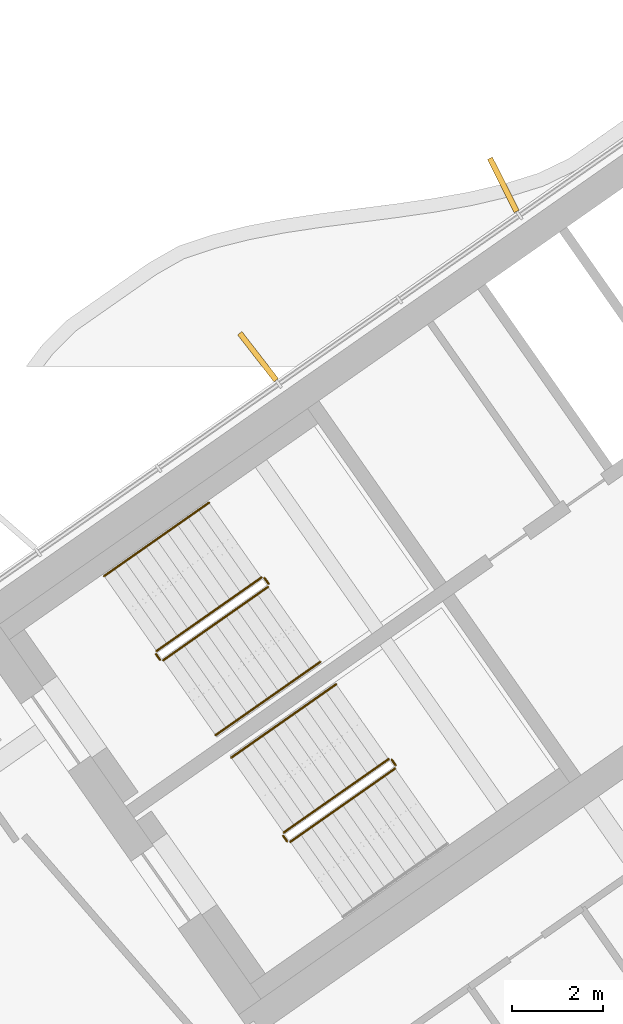
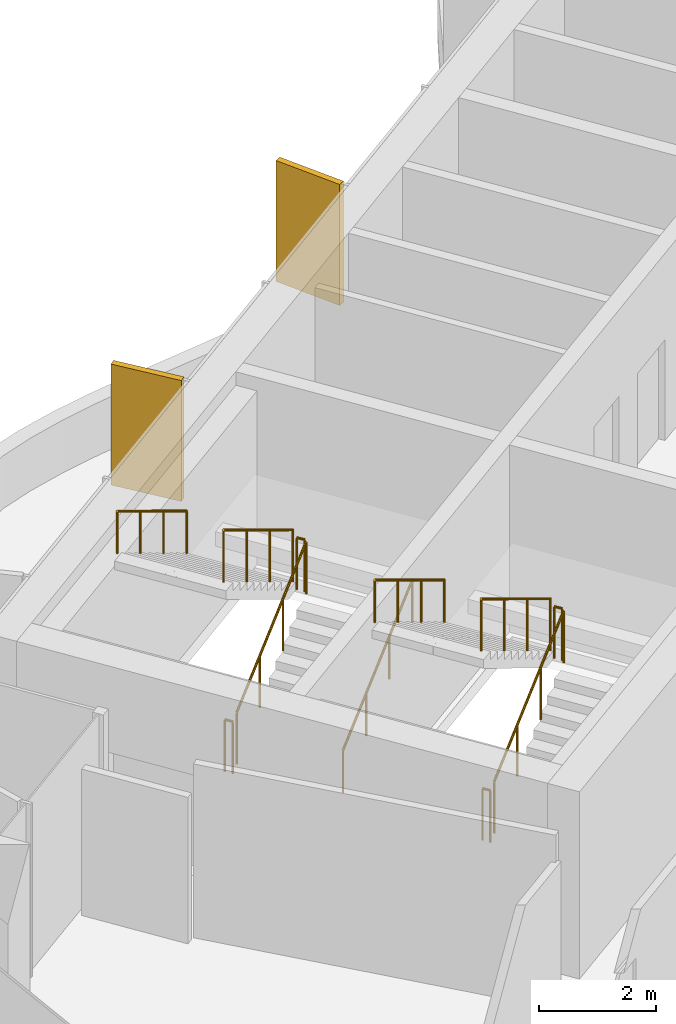
# One storey, part 16 of 20: 11 railings, 2 shading devices.
"""IFC4 building model written with IfcOpenShell, lengths in metres."""

from ifc_helpers import new_model, si_unit, direction, frame, origin, origin_2d, place, context, subcontext, project, spatial, rectangle, circle, extrude, material, layer, layer_set, type_object, element, save


model = new_model("IFC4")

# Units and contexts
model_context = context("Model", 3, precision=1e-05, world=origin(), true_north=direction((0.0, 1.0)))
body_context = subcontext(model_context, "Body", "Model", "MODEL_VIEW")
ifc_project = project(units=[si_unit("LENGTHUNIT", "METRE"), si_unit("AREAUNIT", "SQUARE_METRE"), si_unit("VOLUMEUNIT", "CUBIC_METRE"), si_unit("PLANEANGLEUNIT", "RADIAN"), si_unit("MASSUNIT", "GRAM", prefix="KILO")], contexts=[model_context])

# Site, building, storey
site_placement = place(None, origin())
site = spatial("IfcSite", under=ifc_project, at=site_placement, CompositionType="ELEMENT")
building_placement = place(site_placement, origin())
building = spatial("IfcBuilding", under=site, at=building_placement, Name="Tel Ilan Convention Tower", CompositionType="ELEMENT")
storey_placement = place(building_placement, frame((0.0, 0.0, 248.800048828125)))
storey = spatial("IfcBuildingStorey", under=building, at=storey_placement, Name="L58", CompositionType="ELEMENT", Elevation=248.800048828125)

# Shading devices
ifc_material_1 = material(Name="Aluminium, bronze anodised", Category="aluminium")
ifc_layer = layer(ifc_material_1, 0.1201171875)
ifc_layer_set = layer_set([ifc_layer], Name="FIN BRONZE 1300x120")
shading_device_type = type_object("IfcShadingDeviceType", Name="FIN BRONZE 1300x120", PredefinedType="USERDEFINED", material=ifc_layer_set)
for number, where, z_axis, x_axis, name in (
    (1, (-16.092041015625, 2.345458984375, 1.099853515625), (0.0, 0.0, 1.0), (-0.448799180206, 0.893632640321, 0.0), "FIN"),
    (2, (-21.46044921875, -1.4130859375, 1.099853515625), (0.0, 0.0, 1.0), (-0.612600545196, 0.790392669516, 0.0), "FIN"),
):
    element("IfcShadingDevice", number, at=place(storey_placement, frame(where, z_axis=z_axis, x_axis=x_axis)), inside=storey, type_object=shading_device_type, Name=name, ObjectType="FIN", PredefinedType="USERDEFINED", context=body_context, shape_type="SweptSolid", body=[
        extrude(rectangle(XDim=1.300048828125, YDim=0.1201171875, at=origin_2d()), origin(), (0.0, 0.0, 1.0), 2.52001953125),
    ])

# Railings
ifc_material_2 = material(Name="Stainless Steel Grade 316", Category="steel")
railing_type_1 = type_object("IfcRailingType", Name="Stainless Steel Stair Guard 1100 mm", PredefinedType="GUARDRAIL", material=ifc_material_2)
railing_1_placement = place(storey_placement, frame((-23.535400390625, -8.056396484375, 0.17724609375)))
element("IfcRailing", 3, at=railing_1_placement, inside=storey, type_object=railing_type_1, Name="L58 S1 stair guard 1", PredefinedType="GUARDRAIL", context=body_context, shape_type="SweptSolid", body=[
    extrude(circle(Radius=0.02392578125, at=origin_2d()), frame((0.0, 0.0, 1.076171875), z_axis=(0.692098378994, 0.484653031975, 0.534893701956), x_axis=(-0.573608623498, 0.819129505664, 0.0)), (0.0, 0.0, 1.0), 3.314208984375),
    extrude(circle(Radius=0.02099609375, at=origin_2d()), origin(), (0.0, 0.0, 1.0), 1.052001953125),
    extrude(circle(Radius=0.02099609375, at=origin_2d()), frame((0.7646484375, 0.535400390625, 0.5908203125)), (0.0, 0.0, 1.0), 1.052001953125),
    extrude(circle(Radius=0.02099609375, at=origin_2d()), frame((1.529052734375, 1.07080078125, 1.181884765625)), (0.0, 0.0, 1.0), 1.052001953125),
    extrude(circle(Radius=0.02099609375, at=origin_2d()), frame((2.293701171875, 1.606201171875, 1.772705078125)), (0.0, 0.0, 1.0), 1.052001953125),
])
railing_2_placement = place(storey_placement, frame((-21.2294921875, -6.380615234375, 1.949951171875)))
element("IfcRailing", 4, at=railing_2_placement, inside=storey, type_object=railing_type_1, Name="L58 S1 stair guard 2", PredefinedType="GUARDRAIL", context=body_context, shape_type="SweptSolid", body=[
    extrude(circle(Radius=0.02392578125, at=origin_2d()), frame((0.0, 0.0, 1.076171875), z_axis=(-0.573353020881, 0.819308436089, 0.0), x_axis=(-0.819308436089, -0.573353020881, 0.0)), (0.0, 0.0, 1.0), 0.14990234375),
    extrude(circle(Radius=0.02099609375, at=origin_2d()), origin(), (0.0, 0.0, 1.0), 1.052001953125),
    extrude(circle(Radius=0.02099609375, at=origin_2d()), frame((-0.0859375, 0.122802734375, 0.0)), (0.0, 0.0, 1.0), 1.052001953125),
])
railing_3_placement = place(storey_placement, frame((-21.38525390625, -6.24560546875, 2.127197265625)))
element("IfcRailing", 5, at=railing_3_placement, inside=storey, type_object=railing_type_1, Name="L58 S1 stair guard 3", PredefinedType="GUARDRAIL", context=body_context, shape_type="SweptSolid", body=[
    extrude(circle(Radius=0.02392578125, at=origin_2d()), frame((0.0, 0.0, 1.076171875), z_axis=(-0.692084706163, -0.484621375041, 0.534940073605), x_axis=(0.573591086599, -0.819141785879, 0.0)), (0.0, 0.0, 1.0), 3.313720703125),
    extrude(circle(Radius=0.02099609375, at=origin_2d()), origin(), (0.0, 0.0, 1.0), 1.052001953125),
    extrude(circle(Radius=0.02099609375, at=origin_2d()), frame((-0.764404296875, -0.535400390625, 0.5908203125)), (0.0, 0.0, 1.0), 1.052001953125),
    extrude(circle(Radius=0.02099609375, at=origin_2d()), frame((-1.529052734375, -1.070556640625, 1.181884765625)), (0.0, 0.0, 1.0), 1.052001953125),
    extrude(circle(Radius=0.02099609375, at=origin_2d()), frame((-2.29345703125, -1.60595703125, 1.772705078125)), (0.0, 0.0, 1.0), 1.052001953125),
])
railing_4_placement = place(storey_placement, frame((-23.60498046875, -8.0439453125, 0.0)))
element("IfcRailing", 6, at=railing_4_placement, inside=storey, type_object=railing_type_1, Name="L58 S1 stair guard 4", PredefinedType="GUARDRAIL", context=body_context, shape_type="SweptSolid", body=[
    extrude(circle(Radius=0.02392578125, at=origin_2d()), frame((0.0, 0.0, 1.076171875), z_axis=(-0.574444878118, 0.818543268254, 0.0), x_axis=(-0.818543268254, -0.574444878118, 0.0)), (0.0, 0.0, 1.0), 0.150146484375),
    extrude(circle(Radius=0.02099609375, at=origin_2d()), origin(), (0.0, 0.0, 1.0), 1.052001953125),
    extrude(circle(Radius=0.02099609375, at=origin_2d()), frame((-0.086181640625, 0.122802734375, 0.0)), (0.0, 0.0, 1.0), 1.052001953125),
])
railing_5_placement = place(storey_placement, frame((-20.753662109375, -12.029296875, 0.17724609375)))
element("IfcRailing", 7, at=railing_5_placement, inside=storey, type_object=railing_type_1, Name="L58 S2 stair guard 1", PredefinedType="GUARDRAIL", context=body_context, shape_type="SweptSolid", body=[
    extrude(circle(Radius=0.02392578125, at=origin_2d()), frame((0.0, 0.0, 1.076171875), z_axis=(0.692098378994, 0.484653031975, 0.534893701956), x_axis=(-0.573608623498, 0.819129505664, 0.0)), (0.0, 0.0, 1.0), 3.314208984375),
    extrude(circle(Radius=0.02099609375, at=origin_2d()), origin(), (0.0, 0.0, 1.0), 1.052001953125),
    extrude(circle(Radius=0.02099609375, at=origin_2d()), frame((0.7646484375, 0.535400390625, 0.5908203125)), (0.0, 0.0, 1.0), 1.052001953125),
    extrude(circle(Radius=0.02099609375, at=origin_2d()), frame((1.529052734375, 1.07080078125, 1.181884765625)), (0.0, 0.0, 1.0), 1.052001953125),
    extrude(circle(Radius=0.02099609375, at=origin_2d()), frame((2.293701171875, 1.606201171875, 1.772705078125)), (0.0, 0.0, 1.0), 1.052001953125),
])
railing_6_placement = place(storey_placement, frame((-18.44775390625, -10.353515625, 1.949951171875)))
element("IfcRailing", 8, at=railing_6_placement, inside=storey, type_object=railing_type_1, Name="L58 S2 stair guard 2", PredefinedType="GUARDRAIL", context=body_context, shape_type="SweptSolid", body=[
    extrude(circle(Radius=0.02392578125, at=origin_2d()), frame((0.0, 0.0, 1.076171875), z_axis=(-0.573353020881, 0.819308436089, 0.0), x_axis=(-0.819308436089, -0.573353020881, 0.0)), (0.0, 0.0, 1.0), 0.14990234375),
    extrude(circle(Radius=0.02099609375, at=origin_2d()), origin(), (0.0, 0.0, 1.0), 1.052001953125),
    extrude(circle(Radius=0.02099609375, at=origin_2d()), frame((-0.0859375, 0.122802734375, 0.0)), (0.0, 0.0, 1.0), 1.052001953125),
])
railing_7_placement = place(storey_placement, frame((-18.603271484375, -10.218505859375, 2.127197265625)))
element("IfcRailing", 9, at=railing_7_placement, inside=storey, type_object=railing_type_1, Name="L58 S2 stair guard 3", PredefinedType="GUARDRAIL", context=body_context, shape_type="SweptSolid", body=[
    extrude(circle(Radius=0.02392578125, at=origin_2d()), frame((0.0, 0.0, 1.076171875), z_axis=(-0.692123088272, -0.484596665743, 0.534912798717), x_axis=(0.573550118428, -0.819170471667, 0.0)), (0.0, 0.0, 1.0), 3.31396484375),
    extrude(circle(Radius=0.02099609375, at=origin_2d()), origin(), (0.0, 0.0, 1.0), 1.052001953125),
    extrude(circle(Radius=0.02099609375, at=origin_2d()), frame((-0.7646484375, -0.535400390625, 0.5908203125)), (0.0, 0.0, 1.0), 1.052001953125),
    extrude(circle(Radius=0.02099609375, at=origin_2d()), frame((-1.529052734375, -1.070556640625, 1.181884765625)), (0.0, 0.0, 1.0), 1.052001953125),
    extrude(circle(Radius=0.02099609375, at=origin_2d()), frame((-2.293701171875, -1.60595703125, 1.772705078125)), (0.0, 0.0, 1.0), 1.052001953125),
])
railing_8_placement = place(storey_placement, frame((-20.8232421875, -12.016845703125, 0.0)))
element("IfcRailing", 10, at=railing_8_placement, inside=storey, type_object=railing_type_1, Name="L58 S2 stair guard 4", PredefinedType="GUARDRAIL", context=body_context, shape_type="SweptSolid", body=[
    extrude(circle(Radius=0.02392578125, at=origin_2d()), frame((0.0, 0.0, 1.076171875), z_axis=(-0.573353020881, 0.819308436089, 0.0), x_axis=(-0.819308436089, -0.573353020881, 0.0)), (0.0, 0.0, 1.0), 0.14990234375),
    extrude(circle(Radius=0.02099609375, at=origin_2d()), origin(), (0.0, 0.0, 1.0), 1.052001953125),
    extrude(circle(Radius=0.02099609375, at=origin_2d()), frame((-0.0859375, 0.122802734375, 0.0)), (0.0, 0.0, 1.0), 1.052001953125),
])
ifc_material_3 = material(Name="Stainless Steel Grade 316", Category="steel")
railing_type_2 = type_object("IfcRailingType", Name="Stainless Steel Stair Handrail 900 mm", PredefinedType="HANDRAIL", material=ifc_material_3)
railing_9_placement = place(storey_placement, frame((-22.38818359375, -9.694580078125, 0.17724609375)))
element("IfcRailing", 11, at=railing_9_placement, inside=storey, type_object=railing_type_2, Name="L58 S1 stair handrail 1", PredefinedType="HANDRAIL", context=body_context, shape_type="SweptSolid", body=[
    extrude(circle(Radius=0.02392578125, at=origin_2d()), frame((0.0, 0.0, 0.8759765625), z_axis=(0.692084706163, 0.484621375041, 0.534940073605), x_axis=(-0.573591086599, 0.819141785879, 0.0)), (0.0, 0.0, 1.0), 3.313720703125),
    extrude(circle(Radius=0.02099609375, at=origin_2d()), origin(), (0.0, 0.0, 1.0), 0.851806640625),
    extrude(circle(Radius=0.02099609375, at=origin_2d()), frame((0.764404296875, 0.535400390625, 0.5908203125)), (0.0, 0.0, 1.0), 0.851806640625),
    extrude(circle(Radius=0.02099609375, at=origin_2d()), frame((1.529052734375, 1.070556640625, 1.181884765625)), (0.0, 0.0, 1.0), 0.851806640625),
    extrude(circle(Radius=0.02099609375, at=origin_2d()), frame((2.29345703125, 1.60595703125, 1.772705078125)), (0.0, 0.0, 1.0), 0.851806640625),
])
for number, where, name in (
    (12, (-22.5322265625, -4.607177734375, 2.127197265625), "L58 S1 stair handrail 2"),
    (13, (-19.75048828125, -8.580078125, 2.127197265625), "L58 S2 stair handrail 2"),
):
    element("IfcRailing", number, at=place(storey_placement, frame(where)), inside=storey, type_object=railing_type_2, Name=name, PredefinedType="HANDRAIL", context=body_context, shape_type="SweptSolid", body=[
        extrude(circle(Radius=0.02392578125, at=origin_2d()), frame((0.0, 0.0, 0.8759765625), z_axis=(-0.692123088272, -0.484596665743, 0.534912798717), x_axis=(0.573550118428, -0.819170471667, 0.0)), (0.0, 0.0, 1.0), 3.31396484375),
        extrude(circle(Radius=0.02099609375, at=origin_2d()), origin(), (0.0, 0.0, 1.0), 0.851806640625),
        extrude(circle(Radius=0.02099609375, at=origin_2d()), frame((-0.7646484375, -0.535400390625, 0.5908203125)), (0.0, 0.0, 1.0), 0.851806640625),
        extrude(circle(Radius=0.02099609375, at=origin_2d()), frame((-1.529052734375, -1.070556640625, 1.181884765625)), (0.0, 0.0, 1.0), 0.851806640625),
        extrude(circle(Radius=0.02099609375, at=origin_2d()), frame((-2.293701171875, -1.60595703125, 1.772705078125)), (0.0, 0.0, 1.0), 0.851806640625),
    ])

save(model, "model.ifc")
